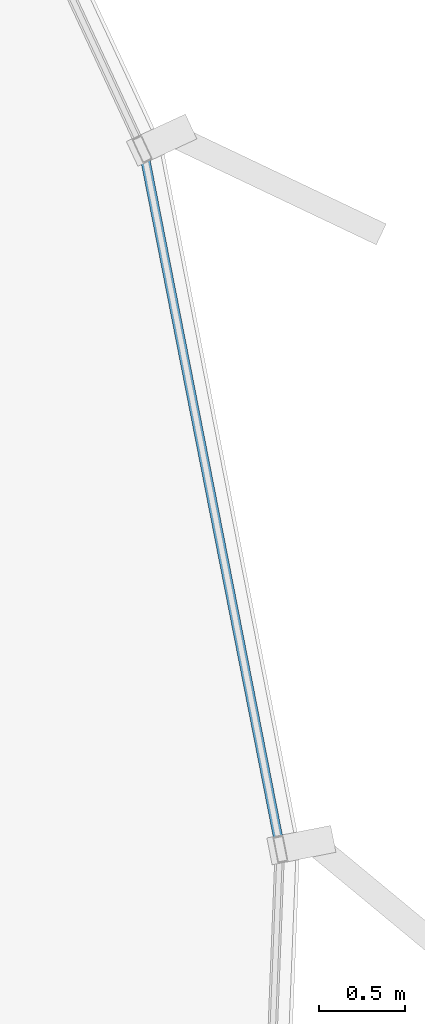
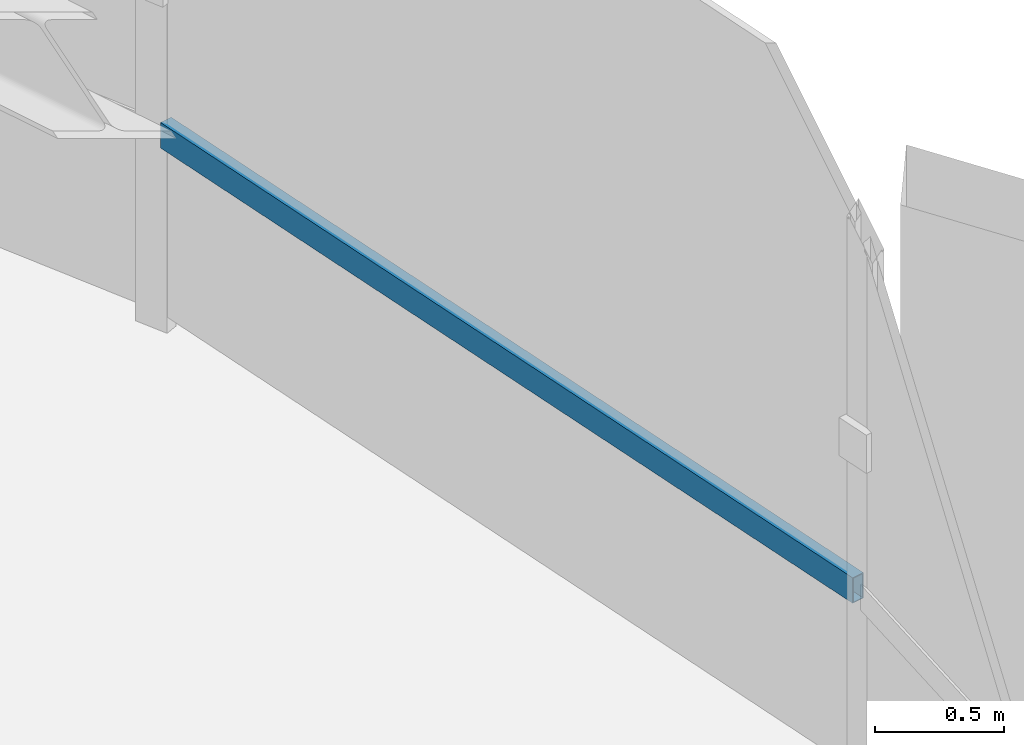
# One storey, part 17 of 35: 1 member, 1 element without a shape of its own.
"""IFC4 building model written with IfcOpenShell, lengths in metres."""

from ifc_helpers import new_model, si_unit, direction, frame, origin, origin_2d, place, context, subcontext, project, spatial, hollow_rectangle, extrude, source, transform, mapped, material, layer, layer_set, material_profile, profile_set, type_object, element, aggregate, save


model = new_model("IFC4")

# Units and contexts
model_context = context("Model", 3, precision=1e-05, world=origin(), true_north=direction((0.0, 1.0)))
body_context = subcontext(model_context, "Body", "Model", "MODEL_VIEW")
ifc_project = project(units=[si_unit("LENGTHUNIT", "METRE"), si_unit("AREAUNIT", "SQUARE_METRE"), si_unit("VOLUMEUNIT", "CUBIC_METRE"), si_unit("PLANEANGLEUNIT", "RADIAN"), si_unit("MASSUNIT", "GRAM", prefix="KILO"), si_unit("THERMODYNAMICTEMPERATUREUNIT", "KELVIN")], contexts=[model_context])

# Site, building, storey
site_placement = place(None, origin())
site = spatial("IfcSite", under=ifc_project, at=site_placement, CompositionType="ELEMENT")
building_placement = place(site_placement, origin())
building = spatial("IfcBuilding", under=site, at=building_placement, Name="Kethvar Cultural Tower", CompositionType="ELEMENT")
storey_placement = place(building_placement, frame((0.0, 0.0, 107.199951171875)))
storey = spatial("IfcBuildingStorey", under=building, at=storey_placement, Name="L26", CompositionType="ELEMENT", Elevation=107.199951171875)

# Curtain wall, member
ifc_material = material(Name="Aluminium 6063-T6", Category="aluminium")
ifc_layer = layer(ifc_material, 0.179931640625, Name="Aluminium 6063-T6", Category="aluminium")
ifc_layer_set = layer_set([ifc_layer], Name="Aluminium 6063-T6 (180 mm)")
curtain_wall_type = type_object("IfcCurtainWallType", Name="CW-SYS-03-Z2", PredefinedType="NOTDEFINED", material=ifc_layer_set)
curtain_wall_placement = place(storey_placement, origin())
curtain_wall = element("IfcCurtainWall", 1, at=curtain_wall_placement, inside=storey, type_object=curtain_wall_type, Name="L26 Curtain Wall Run 06", PredefinedType="NOTDEFINED")
ifc_material_profile = material_profile(ifc_material, hollow_rectangle(XDim=0.054931640625, YDim=0.1201171875, WallThickness=0.00390625, at=origin_2d()), Name="Aluminium 6063-T6 — RHS120x55x4")
ifc_profile_set = profile_set([ifc_material_profile], Name="Aluminium 6063-T6 — RHS120x55x4")
member_type = type_object("IfcMemberType", Name="CW-SYS-03-Z2-TRN", PredefinedType="USERDEFINED", material=ifc_profile_set)
shared_shape = source(origin(), body_context, "Body", "SweptSolid", [
    extrude(hollow_rectangle(XDim=0.054931640625, YDim=0.1201171875, WallThickness=0.00390625, at=origin_2d()), origin(), (0.0, 0.0, 1.0), 4.07080078125),
])
member_placement = place(storey_placement, frame((76.572998046875, 33.194091796875, 0.949951171875), z_axis=(-0.192274040225, 0.981341272675, 0.0), x_axis=(-0.981341272675, -0.192274040225, 0.0)))
member = element("IfcMember", 2, at=member_placement, type_object=member_type, Name="CW-L26-R06 Transom 6", ObjectType="TRANSOM", PredefinedType="USERDEFINED", context=body_context, shape_type="MappedRepresentation", body=[
    mapped(shared_shape, transform((0.0, 0.0, 0.0), scale=1.0)),
])
aggregate(curtain_wall, [member])

save(model, "model.ifc")
